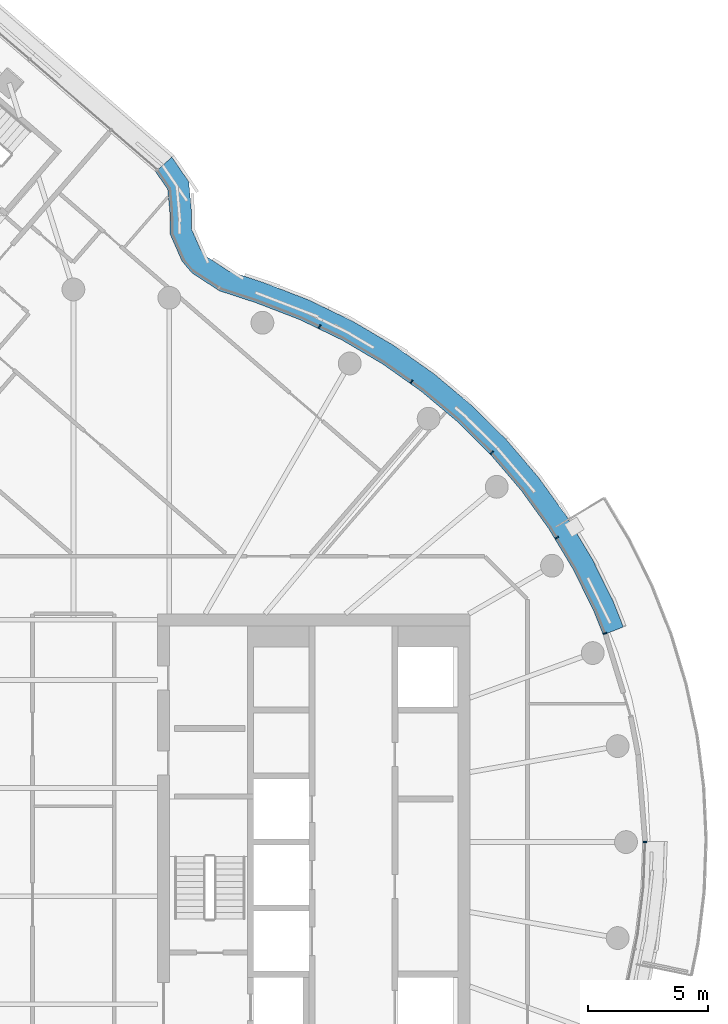
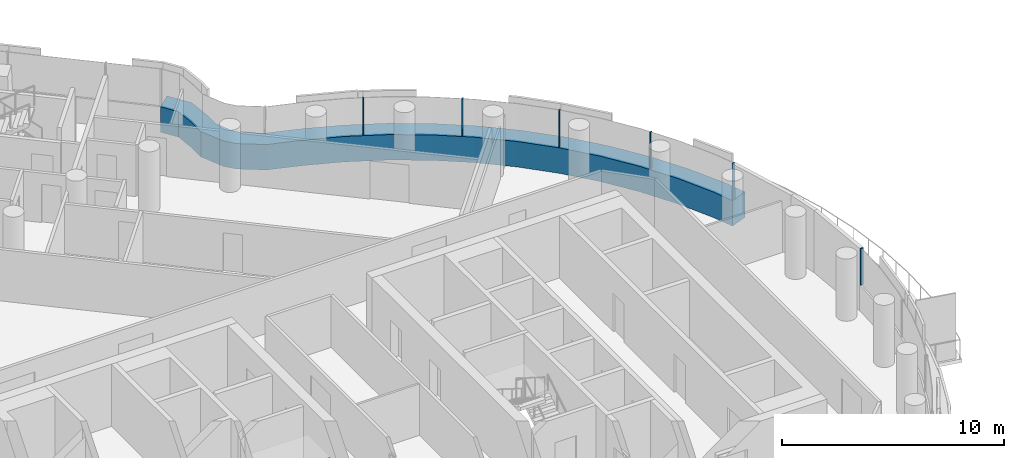
# One storey, part 14 of 32: 7 members, 1 element without a shape of its own.
"""IFC4 building model written with IfcOpenShell, lengths in metres."""

from ifc_helpers import new_model, si_unit, direction, frame, origin, origin_2d, place, context, subcontext, project, spatial, polyline, rectangle, outline, extrude, material, layer, layer_set, material_profile, profile_set, type_object, element, aggregate, save


model = new_model("IFC4")

# Units and contexts
model_context = context("Model", 3, precision=1e-05, world=origin(), true_north=direction((0.0, 1.0)))
body_context = subcontext(model_context, "Body", "Model", "MODEL_VIEW")
ifc_project = project(units=[si_unit("LENGTHUNIT", "METRE"), si_unit("AREAUNIT", "SQUARE_METRE"), si_unit("VOLUMEUNIT", "CUBIC_METRE"), si_unit("PLANEANGLEUNIT", "RADIAN"), si_unit("MASSUNIT", "GRAM", prefix="KILO")], contexts=[model_context])

# Site, building, storey
site_placement = place(None, origin())
site = spatial("IfcSite", under=ifc_project, at=site_placement, CompositionType="ELEMENT")
building_placement = place(site_placement, origin())
building = spatial("IfcBuilding", under=site, at=building_placement, Name="Tamarind Cross Interchange Tower", CompositionType="ELEMENT")
storey_placement = place(building_placement, frame((0.0, 0.0, 211.300048828125)))
storey = spatial("IfcBuildingStorey", under=building, at=storey_placement, Name="L53", CompositionType="ELEMENT", Elevation=211.300048828125)

# Curtain wall, members
ifc_material_1 = material(Name="Aluminium 6063-T6", Category="aluminium")
ifc_layer = layer(ifc_material_1, 0.139892578125)
ifc_layer_set = layer_set([ifc_layer], Name="Aluminium 6063-T6")
curtain_wall_type = type_object("IfcCurtainWallType", Name="Hotel curtain wall, 4.5 m bays", PredefinedType="NOTDEFINED", material=ifc_layer_set)
curtain_wall_placement = place(storey_placement, origin())
curtain_wall = element("IfcCurtainWall", 1, at=curtain_wall_placement, inside=storey, type_object=curtain_wall_type, Name="CWS-L53-06", PredefinedType="NOTDEFINED")
ifc_material_2 = material(Name="Aluminium and insulated spandrel panel", Category="aluminium")
member_type_1 = type_object("IfcMemberType", Name="Floor-edge blade transom", PredefinedType="USERDEFINED", material=ifc_material_2)
member_1_placement = place(storey_placement, origin())
member_1 = element("IfcMember", 2, at=member_1_placement, type_object=member_type_1, Name="CWT-L53-06-1", ObjectType="TRANSOM", PredefinedType="USERDEFINED", context=body_context, shape_type="SweptSolid", body=[
    extrude(outline(polyline([(22.049560546875, 8.623046875), (21.65869140625, 9.61181640625), (20.791015625, 11.367431640625), (19.78125, 13.045654296875), (18.636474609375, 14.634521484375), (17.3642578125, 16.12353515625), (15.973388671875, 17.50244140625), (14.4736328125, 18.76171875), (12.874755859375, 19.892822265625), (11.188232421875, 20.88818359375), (9.425048828125, 21.74072265625), (7.59326171875, 22.4462890625), (6.074462890625, 22.9423828125), (4.938232421875, 23.68408203125), (4.520751953125, 24.17578125), (4.0244140625, 25.303466796875), (4.01025390625, 26.250244140625), (3.92578125, 27.16552734375), (3.42041015625, 27.901123046875), (4.096923828125, 28.505859375), (4.800537109375, 27.48193359375), (4.90966796875, 26.29833984375), (4.921630859375, 25.4990234375), (5.291748046875, 24.658447265625), (5.53955078125, 24.3662109375), (6.466796875, 23.760986328125), (7.894775390625, 23.294677734375), (9.783203125, 22.567138671875), (11.613525390625, 21.68212890625), (13.3642578125, 20.64892578125), (15.023681640625, 19.474853515625), (16.580810546875, 18.167724609375), (18.0244140625, 16.736572265625), (19.344970703125, 15.19091796875), (20.533203125, 13.54150390625), (21.581298828125, 11.799560546875), (22.482177734375, 9.97705078125), (22.8876953125, 8.95068359375), (22.049560546875, 8.623046875)])), origin(), (0.0, 0.0, 1.0), 1.39990234375),
])
ifc_material_profile = material_profile(ifc_material_1, rectangle(XDim=0.06005859375, YDim=0.139892578125, at=origin_2d()), Name="Mullion CW2")
ifc_profile_set = profile_set([ifc_material_profile], Name="Aluminium 6063-T6")
member_type_2 = type_object("IfcMemberType", Name="Mullion CW2", PredefinedType="MULLION", material=ifc_profile_set)
member_2_placement = place(storey_placement, frame((23.791748046875, 0.000732421875, 1.39990234375), z_axis=(0.0, 0.0, 1.0), x_axis=(0.037024696392, 0.999314350871, 0.0)))
member_2 = element("IfcMember", 3, at=member_2_placement, type_object=member_type_2, Name="CWM-L53-06-06", PredefinedType="MULLION", context=body_context, shape_type="SweptSolid", body=[
    extrude(rectangle(XDim=0.06005859375, YDim=0.139892578125, at=origin_2d()), origin(), (0.0, 0.0, 1.0), 2.02001953125),
])
member_3_placement = place(storey_placement, frame((22.131591796875, 8.68701171875, 1.39990234375), z_axis=(0.0, 0.0, 1.0), x_axis=(-0.367513773146, 0.930018078613, 0.0)))
member_3 = element("IfcMember", 4, at=member_3_placement, type_object=member_type_2, Name="CWM-L53-06-07", PredefinedType="MULLION", context=body_context, shape_type="SweptSolid", body=[
    extrude(rectangle(XDim=0.06005859375, YDim=0.139892578125, at=origin_2d()), origin(), (0.0, 0.0, 1.0), 2.02001953125),
])
member_4_placement = place(storey_placement, frame((20.124755859375, 12.668701171875, 1.39990234375), z_axis=(0.0, 0.0, 1.0), x_axis=(-0.515577308909, 0.856843065292, 0.0)))
member_4 = element("IfcMember", 5, at=member_4_placement, type_object=member_type_2, Name="CWM-L53-06-08", PredefinedType="MULLION", context=body_context, shape_type="SweptSolid", body=[
    extrude(rectangle(XDim=0.06005859375, YDim=0.139892578125, at=origin_2d()), origin(), (0.0, 0.0, 1.0), 2.02001953125),
])
member_5_placement = place(storey_placement, frame((17.4169921875, 16.212158203125, 1.39990234375), z_axis=(0.0, 0.0, 1.0), x_axis=(-0.710143317658, 0.704057148523, 0.0)))
member_5 = element("IfcMember", 6, at=member_5_placement, type_object=member_type_2, Name="CWM-L53-06-09", PredefinedType="MULLION", context=body_context, shape_type="SweptSolid", body=[
    extrude(rectangle(XDim=0.06005859375, YDim=0.139892578125, at=origin_2d()), origin(), (0.0, 0.0, 1.0), 2.02001953125),
])
member_6_placement = place(storey_placement, frame((14.075439453125, 19.165771484375, 1.39990234375), z_axis=(0.0, 0.0, 1.0), x_axis=(-0.816341886298, 0.577568978284, 0.0)))
member_6 = element("IfcMember", 7, at=member_6_placement, type_object=member_type_2, Name="CWM-L53-06-10", PredefinedType="MULLION", context=body_context, shape_type="SweptSolid", body=[
    extrude(rectangle(XDim=0.06005859375, YDim=0.139892578125, at=origin_2d()), origin(), (0.0, 0.0, 1.0), 2.02001953125),
])
member_7_placement = place(storey_placement, frame((10.248291015625, 21.45361328125, 1.39990234375), z_axis=(0.0, 0.0, 1.0), x_axis=(-0.900272776334, 0.435326231914, 0.0)))
member_7 = element("IfcMember", 8, at=member_7_placement, type_object=member_type_2, Name="CWM-L53-06-11", PredefinedType="MULLION", context=body_context, shape_type="SweptSolid", body=[
    extrude(rectangle(XDim=0.06005859375, YDim=0.139892578125, at=origin_2d()), origin(), (0.0, 0.0, 1.0), 2.02001953125),
])
aggregate(curtain_wall, [member_2, member_3, member_4, member_5, member_6, member_7, member_1])

save(model, "model.ifc")
